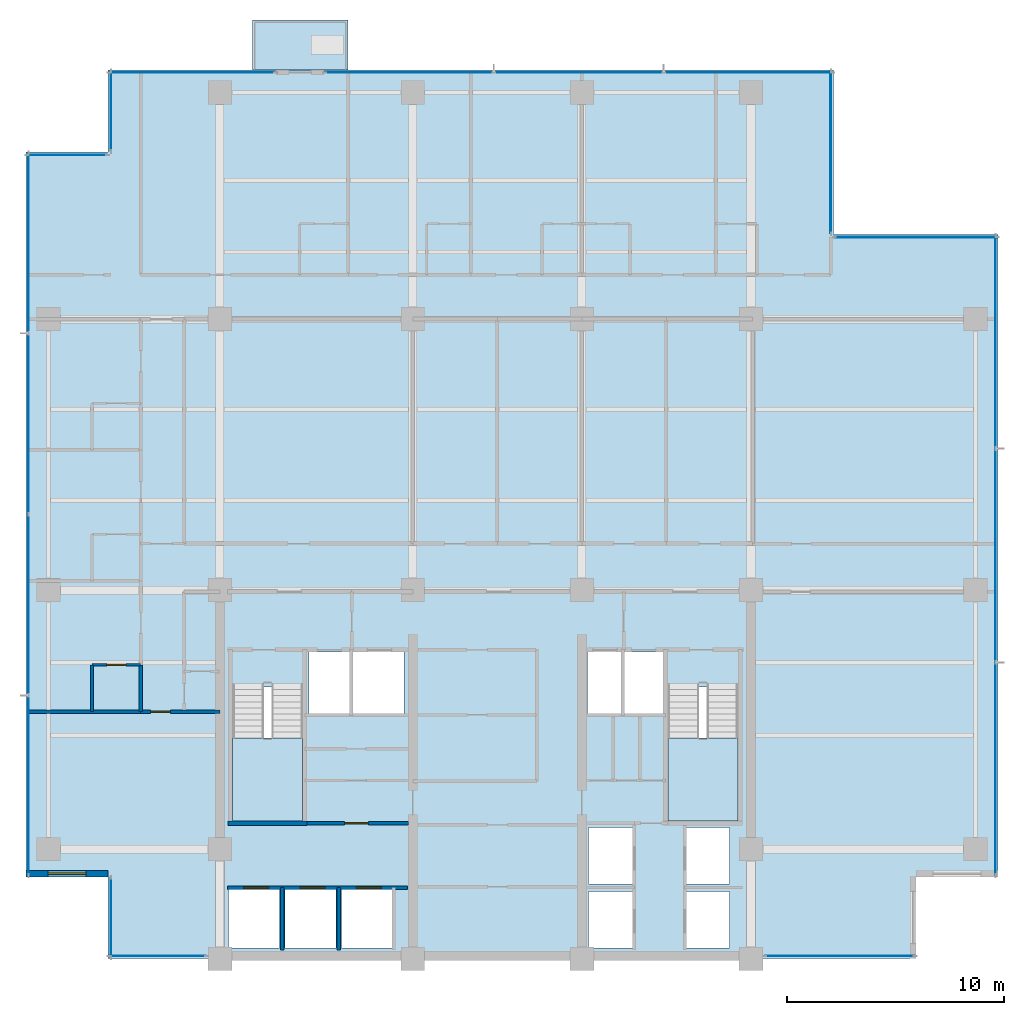
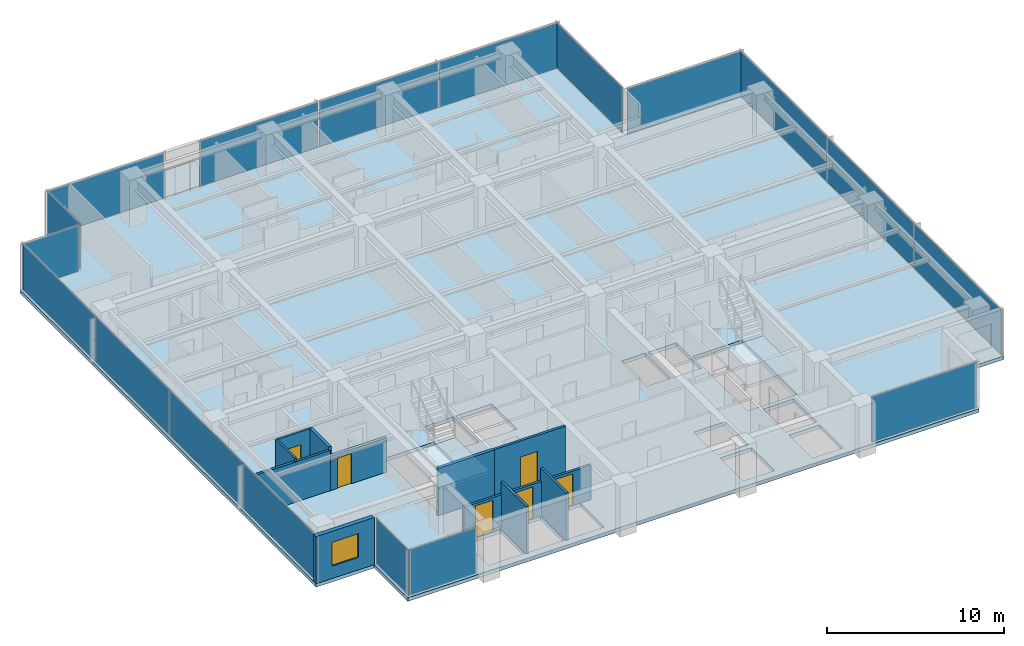
# One storey, part 6 of 14: 18 plates, 11 walls, 6 doors, 4 slabs, 1 window, 7 openings, 13 elements without a shape of their own.
"""IFC4 building model written with IfcOpenShell, lengths in metres."""

from ifc_helpers import new_model, si_unit, direction, frame, frame_2d, origin, origin_2d, place, context, subcontext, project, spatial, polyline, rectangle, outline, extrude, material, layer, layer_set, type_object, element, fill, aggregate, save


model = new_model("IFC4")

# Units and contexts
model_context = context("Model", 3, precision=1e-05, world=origin(), true_north=direction((0.0, 1.0)))
body_context = subcontext(model_context, "Body", "Model", "MODEL_VIEW")
ifc_project = project(units=[si_unit("LENGTHUNIT", "METRE"), si_unit("AREAUNIT", "SQUARE_METRE"), si_unit("VOLUMEUNIT", "CUBIC_METRE"), si_unit("PLANEANGLEUNIT", "RADIAN"), si_unit("MASSUNIT", "GRAM", prefix="KILO")], contexts=[model_context])

# Site, building, storey
site_placement = place(None, origin())
site = spatial("IfcSite", under=ifc_project, at=site_placement, CompositionType="ELEMENT")
building_placement = place(site_placement, origin())
building = spatial("IfcBuilding", under=site, at=building_placement, Name="Qalmaran Belvedere Hotel", CompositionType="ELEMENT")
storey_placement = place(building_placement, frame((0.0, 0.0, 156.10009765625)))
storey = spatial("IfcBuildingStorey", under=building, at=storey_placement, Name="L39", CompositionType="ELEMENT", Elevation=156.10009765625)

# Curtain wall, plate
ifc_material_1 = material(Name="Anodised Bronze Aluminium", Category="aluminium")
ifc_layer_1 = layer(ifc_material_1, 0.195068359375, Name="Anodised Bronze Aluminium")
ifc_layer_set_1 = layer_set([ifc_layer_1], Name="Anodised Bronze Aluminium")
curtain_wall_type = type_object("IfcCurtainWallType", Name="CW4-TOWER-HIGHMID", PredefinedType="NOTDEFINED", material=ifc_layer_set_1)
curtain_wall_1_placement = place(storey_placement, origin())
curtain_wall_1 = element("IfcCurtainWall", 1, at=curtain_wall_1_placement, inside=storey, type_object=curtain_wall_type, Name="L39 Curtain Wall CW4", PredefinedType="NOTDEFINED")
ifc_material_2 = material(Name="Solar-Control Double Glazing", Category="glass")
ifc_layer_2 = layer(ifc_material_2, 0.028076171875, Name="Solar-Control Double Glazing")
ifc_layer_set_2 = layer_set([ifc_layer_2], Name="Solar-Control Double Glazing")
plate_type = type_object("IfcPlateType", Name="CWP-VISION-28", PredefinedType="CURTAIN_PANEL", material=ifc_layer_set_2)
plate_1_placement = place(storey_placement, frame((17.429931640625, 3.6201171875, 0.06494140625), z_axis=(0.0, 0.0, 1.0), x_axis=(1.0, 0.0, 0.0)))
plate_1 = element("IfcPlate", 2, at=plate_1_placement, type_object=plate_type, Name="CW4 panel 1.1", PredefinedType="CURTAIN_PANEL", context=body_context, shape_type="SweptSolid", body=[
    extrude(rectangle(XDim=4.419921875, YDim=0.028076171875, at=origin_2d()), origin(), (0.0, 0.0, 1.0), 3.1201171875),
])
aggregate(curtain_wall_1, [plate_1])

curtain_wall_2_placement = place(storey_placement, origin())
curtain_wall_2 = element("IfcCurtainWall", 3, at=curtain_wall_2_placement, inside=storey, type_object=curtain_wall_type, Name="L39 Curtain Wall CW4", PredefinedType="NOTDEFINED")
plate_2_placement = place(storey_placement, frame((48.89501953125, 3.6201171875, 0.06494140625), z_axis=(0.0, 0.0, 1.0), x_axis=(1.0, 0.0, 0.0)))
plate_2 = element("IfcPlate", 4, at=plate_2_placement, type_object=plate_type, Name="CW4 panel 1.1", PredefinedType="CURTAIN_PANEL", context=body_context, shape_type="SweptSolid", body=[
    extrude(rectangle(XDim=6.8701171875, YDim=0.028076171875, at=origin_2d()), origin(), (0.0, 0.0, 1.0), 3.1201171875),
])
aggregate(curtain_wall_2, [plate_2])

# Curtain wall, plates
curtain_wall_3_placement = place(storey_placement, origin())
curtain_wall_3 = element("IfcCurtainWall", 5, at=curtain_wall_3_placement, inside=storey, type_object=curtain_wall_type, Name="L39 Curtain Wall CW4", PredefinedType="NOTDEFINED")
plate_3_placement = place(storey_placement, frame((56.080078125, 12.250732421875, 0.06494140625), z_axis=(0.0, 0.0, 1.0), x_axis=(0.0, 1.0, 0.0)))
plate_3 = element("IfcPlate", 6, at=plate_3_placement, type_object=plate_type, Name="CW4 panel 1.1", PredefinedType="CURTAIN_PANEL", context=body_context, shape_type="SweptSolid", body=[
    extrude(rectangle(XDim=9.76171875, YDim=0.028076171875, at=origin_2d()), origin(), (0.0, 0.0, 1.0), 3.1201171875),
])
plate_4_placement = place(storey_placement, frame((56.080078125, 22.10009765625, 0.06494140625), z_axis=(0.0, 0.0, 1.0), x_axis=(0.0, 1.0, 0.0)))
plate_4 = element("IfcPlate", 7, at=plate_4_placement, type_object=plate_type, Name="CW4 panel 2.1", PredefinedType="CURTAIN_PANEL", context=body_context, shape_type="SweptSolid", body=[
    extrude(rectangle(XDim=9.796630859375, YDim=0.028076171875, at=origin_2d()), origin(), (0.0, 0.0, 1.0), 3.1201171875),
])
plate_5_placement = place(storey_placement, frame((56.080078125, 31.94921875, 0.06494140625), z_axis=(0.0, 0.0, 1.0), x_axis=(0.0, 1.0, 0.0)))
plate_5 = element("IfcPlate", 8, at=plate_5_placement, type_object=plate_type, Name="CW4 panel 3.1", PredefinedType="CURTAIN_PANEL", context=body_context, shape_type="SweptSolid", body=[
    extrude(rectangle(XDim=9.76171875, YDim=0.028076171875, at=origin_2d()), origin(), (0.0, 0.0, 1.0), 3.1201171875),
])
aggregate(curtain_wall_3, [plate_3, plate_4, plate_5])

# Curtain wall, plate
curtain_wall_4_placement = place(storey_placement, origin())
curtain_wall_4 = element("IfcCurtainWall", 9, at=curtain_wall_4_placement, inside=storey, type_object=curtain_wall_type, Name="L39 Curtain Wall CW4", PredefinedType="NOTDEFINED")
plate_6_placement = place(storey_placement, frame((52.39990234375, 36.780029296875, 0.06494140625), z_axis=(0.0, 0.0, 1.0), x_axis=(-1.0, 0.0, 0.0)))
plate_6 = element("IfcPlate", 10, at=plate_6_placement, type_object=plate_type, Name="CW4 panel 1.1", PredefinedType="CURTAIN_PANEL", context=body_context, shape_type="SweptSolid", body=[
    extrude(rectangle(XDim=7.4599609375, YDim=0.028076171875, at=origin_2d()), origin(), (0.0, 0.0, 1.0), 3.1201171875),
])
aggregate(curtain_wall_4, [plate_6])

curtain_wall_5_placement = place(storey_placement, origin())
curtain_wall_5 = element("IfcCurtainWall", 11, at=curtain_wall_5_placement, inside=storey, type_object=curtain_wall_type, Name="L39 Curtain Wall CW4", PredefinedType="NOTDEFINED")
plate_7_placement = place(storey_placement, frame((48.47998046875, 40.699951171875, 0.06494140625), z_axis=(0.0, 0.0, 1.0), x_axis=(0.0, 1.0, 0.0)))
plate_7 = element("IfcPlate", 12, at=plate_7_placement, type_object=plate_type, Name="CW4 panel 1.1", PredefinedType="CURTAIN_PANEL", context=body_context, shape_type="SweptSolid", body=[
    extrude(rectangle(XDim=7.4599609375, YDim=0.028076171875, at=origin_2d()), origin(), (0.0, 0.0, 1.0), 3.1201171875),
])
aggregate(curtain_wall_5, [plate_7])

curtain_wall_6_placement = place(storey_placement, origin())
curtain_wall_6 = element("IfcCurtainWall", 13, at=curtain_wall_6_placement, inside=storey, type_object=curtain_wall_type, Name="L39 Curtain Wall CW4", PredefinedType="NOTDEFINED")
plate_8_placement = place(storey_placement, frame((19.02490234375, 44.3798828125, 0.06494140625), z_axis=(0.0, 0.0, 1.0), x_axis=(-1.0, 0.0, 0.0)))
plate_8 = element("IfcPlate", 14, at=plate_8_placement, type_object=plate_type, Name="CW4 panel 1.1", PredefinedType="CURTAIN_PANEL", context=body_context, shape_type="SweptSolid", body=[
    extrude(rectangle(XDim=7.610107421875, YDim=0.028076171875, at=origin_2d()), origin(), (0.0, 0.0, 1.0), 3.1201171875),
])
aggregate(curtain_wall_6, [plate_8])

# Curtain wall, plates
curtain_wall_7_placement = place(storey_placement, origin())
curtain_wall_7 = element("IfcCurtainWall", 15, at=curtain_wall_7_placement, inside=storey, type_object=curtain_wall_type, Name="L39 Curtain Wall CW4", PredefinedType="NOTDEFINED")
plate_9_placement = place(storey_placement, frame((44.665771484375, 44.3798828125, 0.06494140625), z_axis=(0.0, 0.0, 1.0), x_axis=(-1.0, 0.0, 0.0)))
plate_9 = element("IfcPlate", 16, at=plate_9_placement, type_object=plate_type, Name="CW4 panel 1.1", PredefinedType="CURTAIN_PANEL", context=body_context, shape_type="SweptSolid", body=[
    extrude(rectangle(XDim=7.728271484375, YDim=0.028076171875, at=origin_2d()), origin(), (0.0, 0.0, 1.0), 3.1201171875),
])
plate_10_placement = place(storey_placement, frame((36.85009765625, 44.3798828125, 0.06494140625), z_axis=(0.0, 0.0, 1.0), x_axis=(-1.0, 0.0, 0.0)))
plate_10 = element("IfcPlate", 17, at=plate_10_placement, type_object=plate_type, Name="CW4 panel 2.1", PredefinedType="CURTAIN_PANEL", context=body_context, shape_type="SweptSolid", body=[
    extrude(rectangle(XDim=7.763427734375, YDim=0.028076171875, at=origin_2d()), origin(), (0.0, 0.0, 1.0), 3.1201171875),
])
plate_11_placement = place(storey_placement, frame((29.0341796875, 44.3798828125, 0.06494140625), z_axis=(0.0, 0.0, 1.0), x_axis=(-1.0, 0.0, 0.0)))
plate_11 = element("IfcPlate", 18, at=plate_11_placement, type_object=plate_type, Name="CW4 panel 3.1", PredefinedType="CURTAIN_PANEL", context=body_context, shape_type="SweptSolid", body=[
    extrude(rectangle(XDim=7.728271484375, YDim=0.028076171875, at=origin_2d()), origin(), (0.0, 0.0, 1.0), 3.1201171875),
])
aggregate(curtain_wall_7, [plate_9, plate_10, plate_11])

# Curtain wall, plate
curtain_wall_8_placement = place(storey_placement, origin())
curtain_wall_8 = element("IfcCurtainWall", 19, at=curtain_wall_8_placement, inside=storey, type_object=curtain_wall_type, Name="L39 Curtain Wall CW4", PredefinedType="NOTDEFINED")
plate_12_placement = place(storey_placement, frame((15.27001953125, 42.60009765625, 0.06494140625), z_axis=(0.0, 0.0, 1.0), x_axis=(0.0, -1.0, 0.0)))
plate_12 = element("IfcPlate", 20, at=plate_12_placement, type_object=plate_type, Name="CW4 panel 1.1", PredefinedType="CURTAIN_PANEL", context=body_context, shape_type="SweptSolid", body=[
    extrude(rectangle(XDim=3.659912109375, YDim=0.028076171875, at=origin_2d()), origin(), (0.0, 0.0, 1.0), 3.1201171875),
])
aggregate(curtain_wall_8, [plate_12])

curtain_wall_9_placement = place(storey_placement, origin())
curtain_wall_9 = element("IfcCurtainWall", 21, at=curtain_wall_9_placement, inside=storey, type_object=curtain_wall_type, Name="L39 Curtain Wall CW4", PredefinedType="NOTDEFINED")
plate_13_placement = place(storey_placement, frame((13.25, 40.580078125, 0.06494140625), z_axis=(0.0, 0.0, 1.0), x_axis=(-1.0, 0.0, 0.0)))
plate_13 = element("IfcPlate", 22, at=plate_13_placement, type_object=plate_type, Name="CW4 panel 1.1", PredefinedType="CURTAIN_PANEL", context=body_context, shape_type="SweptSolid", body=[
    extrude(rectangle(XDim=3.659912109375, YDim=0.028076171875, at=origin_2d()), origin(), (0.0, 0.0, 1.0), 3.1201171875),
])
aggregate(curtain_wall_9, [plate_13])

# Curtain wall, plates
curtain_wall_10_placement = place(storey_placement, origin())
curtain_wall_10 = element("IfcCurtainWall", 23, at=curtain_wall_10_placement, inside=storey, type_object=curtain_wall_type, Name="L39 Curtain Wall CW4", PredefinedType="NOTDEFINED")
plate_14_placement = place(storey_placement, frame((11.469970703125, 36.507568359375, 0.06494140625), z_axis=(0.0, 0.0, 1.0), x_axis=(0.0, -1.0, 0.0)))
plate_14 = element("IfcPlate", 24, at=plate_14_placement, type_object=plate_type, Name="CW4 panel 1.1", PredefinedType="CURTAIN_PANEL", context=body_context, shape_type="SweptSolid", body=[
    extrude(rectangle(XDim=8.2451171875, YDim=0.028076171875, at=origin_2d()), origin(), (0.0, 0.0, 1.0), 3.1201171875),
])
plate_15_placement = place(storey_placement, frame((11.469970703125, 28.175048828125, 0.06494140625), z_axis=(0.0, 0.0, 1.0), x_axis=(0.0, -1.0, 0.0)))
plate_15 = element("IfcPlate", 25, at=plate_15_placement, type_object=plate_type, Name="CW4 panel 2.1", PredefinedType="CURTAIN_PANEL", context=body_context, shape_type="SweptSolid", body=[
    extrude(rectangle(XDim=8.280029296875, YDim=0.028076171875, at=origin_2d()), origin(), (0.0, 0.0, 1.0), 3.1201171875),
])
plate_16_placement = place(storey_placement, frame((11.469970703125, 19.824951171875, 0.06494140625), z_axis=(0.0, 0.0, 1.0), x_axis=(0.0, -1.0, 0.0)))
plate_16 = element("IfcPlate", 26, at=plate_16_placement, type_object=plate_type, Name="CW4 panel 3.1", PredefinedType="CURTAIN_PANEL", context=body_context, shape_type="SweptSolid", body=[
    extrude(rectangle(XDim=8.280029296875, YDim=0.028076171875, at=origin_2d()), origin(), (0.0, 0.0, 1.0), 3.1201171875),
])
plate_17_placement = place(storey_placement, frame((11.469970703125, 11.492431640625, 0.06494140625), z_axis=(0.0, 0.0, 1.0), x_axis=(0.0, -1.0, 0.0)))
plate_17 = element("IfcPlate", 27, at=plate_17_placement, type_object=plate_type, Name="CW4 panel 4.1", PredefinedType="CURTAIN_PANEL", context=body_context, shape_type="SweptSolid", body=[
    extrude(rectangle(XDim=8.2451171875, YDim=0.028076171875, at=origin_2d()), origin(), (0.0, 0.0, 1.0), 3.1201171875),
])
aggregate(curtain_wall_10, [plate_14, plate_15, plate_16, plate_17])

# Curtain wall, plate
curtain_wall_11_placement = place(storey_placement, origin())
curtain_wall_11 = element("IfcCurtainWall", 28, at=curtain_wall_11_placement, inside=storey, type_object=curtain_wall_type, Name="L39 Curtain Wall CW4", PredefinedType="NOTDEFINED")
plate_18_placement = place(storey_placement, frame((15.27001953125, 5.39990234375, 0.06494140625), z_axis=(0.0, 0.0, 1.0), x_axis=(0.0, -1.0, 0.0)))
plate_18 = element("IfcPlate", 29, at=plate_18_placement, type_object=plate_type, Name="CW4 panel 1.1", PredefinedType="CURTAIN_PANEL", context=body_context, shape_type="SweptSolid", body=[
    extrude(rectangle(XDim=3.659912109375, YDim=0.028076171875, at=origin_2d()), origin(), (0.0, 0.0, 1.0), 3.1201171875),
])
aggregate(curtain_wall_11, [plate_18])

# Slab
ifc_material_3 = material(Name="Concrete C40/50", Category="concrete")
ifc_layer_3 = layer(ifc_material_3, 0.219970703125, Name="Concrete C40/50")
ifc_layer_set_3 = layer_set([ifc_layer_3], Name="Concrete C40/50")
slab_type_1 = type_object("IfcSlabType", Name="SLB-BAL-220", PredefinedType="USERDEFINED", material=ifc_layer_set_3)
slab_1_placement = place(storey_placement, frame((0.0, 0.0, -0.22021484375)))
element("IfcSlab", 30, at=slab_1_placement, inside=storey, type_object=slab_type_1, Name="L39 Planted Tree Balcony Slab 1", ObjectType="BALCONY", PredefinedType="USERDEFINED", context=body_context, shape_type="SweptSolid", body=[
    extrude(outline(polyline([(21.800048828125, 44.5), (26.199951171875, 44.5), (26.199951171875, 46.800048828125), (21.800048828125, 46.800048828125), (21.800048828125, 44.5)])), origin(), (0.0, 0.0, 1.0), 0.22021484375),
])

# Stair, slab
stair_type_1 = type_object("IfcStairType", Name="STR-ST-1-1450-R1750", PredefinedType="HALF_TURN_STAIR", material=ifc_material_3)
stair_1_placement = place(storey_placement, origin())
stair_1 = element("IfcStair", 31, at=stair_1_placement, inside=storey, type_object=stair_type_1, Name="L39 West Core Exit Stair ST-1", PredefinedType="HALF_TURN_STAIR")
ifc_layer_4 = layer(ifc_material_3, 0.199951171875, Name="Concrete C40/50")
ifc_layer_set_4 = layer_set([ifc_layer_4], Name="Concrete C40/50")
slab_type_2 = type_object("IfcSlabType", Name="SLB-STAIR-LANDING-200", PredefinedType="LANDING", material=ifc_layer_set_4)
slab_2_placement = place(storey_placement, frame((0.0, 0.0, 1.5498046875)))
slab_2 = element("IfcSlab", 32, at=slab_2_placement, type_object=slab_type_2, Name="ST-1 landing 1", PredefinedType="LANDING", context=body_context, shape_type="SweptSolid", body=[
    extrude(outline(polyline([(20.8798828125, 13.669921875), (20.8798828125, 9.85009765625), (24.1201171875, 9.85009765625), (24.1201171875, 13.669921875), (20.8798828125, 13.669921875)])), origin(), (0.0, 0.0, 1.0), 0.2001953125),
])
aggregate(stair_1, [slab_2])

stair_type_2 = type_object("IfcStairType", Name="STR-ST-2-1450-R1750", PredefinedType="HALF_TURN_STAIR", material=ifc_material_3)
stair_2_placement = place(storey_placement, origin())
stair_2 = element("IfcStair", 33, at=stair_2_placement, inside=storey, type_object=stair_type_2, Name="L39 East Core Exit Stair ST-2", PredefinedType="HALF_TURN_STAIR")
slab_3_placement = place(storey_placement, frame((0.0, 0.0, 1.5498046875)))
slab_3 = element("IfcSlab", 34, at=slab_3_placement, type_object=slab_type_2, Name="ST-2 landing 1", PredefinedType="LANDING", context=body_context, shape_type="SweptSolid", body=[
    extrude(outline(polyline([(40.9599609375, 13.669921875), (40.9599609375, 9.85009765625), (44.199951171875, 9.85009765625), (44.199951171875, 13.669921875), (40.9599609375, 13.669921875)])), origin(), (0.0, 0.0, 1.0), 0.2001953125),
])
aggregate(stair_2, [slab_3])

# Slab
ifc_layer_5 = layer(ifc_material_3, 0.25, Name="Concrete C40/50")
ifc_layer_set_5 = layer_set([ifc_layer_5], Name="Concrete C40/50")
slab_type_3 = type_object("IfcSlabType", Name="SLB-Z3-250", PredefinedType="FLOOR", material=ifc_layer_set_5)
slab_4_placement = place(storey_placement, frame((0.0, 0.0, -0.25)))
element("IfcSlab", 35, at=slab_4_placement, inside=storey, type_object=slab_type_3, Name="L39 Structural Floor Slab", PredefinedType="FLOOR", context=body_context, shape_type="SweptSolid", body=[
    extrude(outline(polyline([(15.14990234375, 3.5), (52.39990234375, 3.5), (52.39990234375, 7.300048828125), (56.199951171875, 7.300048828125), (56.199951171875, 36.89990234375), (48.60009765625, 36.89990234375), (48.60009765625, 44.5), (15.14990234375, 44.5), (15.14990234375, 40.699951171875), (11.35009765625, 40.699951171875), (11.35009765625, 7.300048828125), (15.14990234375, 7.300048828125), (15.14990234375, 3.5)]), holes=[polyline([(20.8798828125, 9.85009765625), (24.1201171875, 9.85009765625), (24.1201171875, 16.0400390625), (20.8798828125, 16.0400390625), (20.8798828125, 9.85009765625)]), polyline([(40.9599609375, 9.85009765625), (44.199951171875, 9.85009765625), (44.199951171875, 16.0400390625), (40.9599609375, 16.0400390625), (40.9599609375, 9.85009765625)]), polyline([(37.300048828125, 4.0), (39.35009765625, 4.0), (39.35009765625, 6.60009765625), (37.300048828125, 6.60009765625), (37.300048828125, 4.0)]), polyline([(37.300048828125, 6.949951171875), (39.35009765625, 6.949951171875), (39.35009765625, 9.550048828125), (37.300048828125, 9.550048828125), (37.300048828125, 6.949951171875)]), polyline([(41.800048828125, 4.0), (43.800048828125, 4.0), (43.800048828125, 6.60009765625), (41.800048828125, 6.60009765625), (41.800048828125, 4.0)]), polyline([(41.800048828125, 6.949951171875), (43.800048828125, 6.949951171875), (43.800048828125, 9.550048828125), (41.800048828125, 9.550048828125), (41.800048828125, 6.949951171875)]), polyline([(20.699951171875, 4.0), (23.050048828125, 4.0), (23.050048828125, 6.699951171875), (20.699951171875, 6.699951171875), (20.699951171875, 4.0)]), polyline([(23.300048828125, 4.0), (25.64990234375, 4.0), (25.64990234375, 6.699951171875), (23.300048828125, 6.699951171875), (23.300048828125, 4.0)]), polyline([(25.89990234375, 4.0), (28.25, 4.0), (28.25, 6.699951171875), (25.89990234375, 6.699951171875), (25.89990234375, 4.0)]), polyline([(24.39990234375, 14.800048828125), (26.300048828125, 14.800048828125), (26.300048828125, 17.64990234375), (24.39990234375, 17.64990234375), (24.39990234375, 14.800048828125)]), polyline([(38.949951171875, 14.800048828125), (40.820068359375, 14.800048828125), (40.820068359375, 17.64990234375), (38.949951171875, 17.64990234375), (38.949951171875, 14.800048828125)]), polyline([(26.449951171875, 14.800048828125), (28.800048828125, 14.800048828125), (28.800048828125, 17.64990234375), (26.449951171875, 17.64990234375), (26.449951171875, 14.800048828125)]), polyline([(37.25, 14.800048828125), (38.800048828125, 14.800048828125), (38.800048828125, 17.64990234375), (37.25, 17.64990234375), (37.25, 14.800048828125)])]), origin(), (0.0, 0.0, 1.0), 0.25),
])

# Wall, opening, window
ifc_material_4 = material(Name="Anodised Bronze Cladding")
ifc_layer_6 = layer(ifc_material_4, 0.280029296875, Name="Anodised Bronze Cladding")
ifc_layer_set_6 = layer_set([ifc_layer_6], Name="Anodised Bronze Cladding")
wall_type_1 = type_object("IfcWallType", Name="WL-EXT-BRNZ-280", PredefinedType="SOLIDWALL", material=ifc_layer_set_6)
wall_1_placement = place(storey_placement, frame((11.35009765625, 7.419921875, 0.0), z_axis=(0.0, 0.0, 1.0), x_axis=(1.0, 0.0, 0.0)))
wall_1 = element("IfcWall", 36, at=wall_1_placement, inside=storey, type_object=wall_type_1, Name="L39 Corner Notch Wall 10", PredefinedType="SOLIDWALL", context=body_context, shape_type="SweptSolid", body=[
    extrude(rectangle(XDim=3.7998046875, YDim=0.280029296875, at=frame_2d((1.89990234375, 0.0))), origin(), (0.0, 0.0, 1.0), 3.25),
])
opening_1_placement = place(wall_1_placement, frame((1.02490234375, 0.0, 0.85009765625)))
opening_1 = element("IfcOpeningElement", 37, at=opening_1_placement, cuts=wall_1, Name="Opening W-N17", PredefinedType="OPENING", context=body_context, shape_type="SweptSolid", body=[
    extrude(rectangle(XDim=1.75, YDim=1.64990234375, at=frame_2d((0.875, 0.824951171875))), frame((0.0, 0.14990234375, 0.0), z_axis=(0.0, -1.0, 0.0), x_axis=(1.0, 0.0, 0.0)), (0.0, 0.0, 1.0), 0.300048828125),
])
window_type = type_object("IfcWindowType", Name="WN-NTC-1750X1650", PartitioningType="SINGLE_PANEL", PredefinedType="WINDOW", material=ifc_material_2)
window_placement = place(opening_1_placement, origin())
window = element("IfcWindow", 38, at=window_placement, inside=storey, type_object=window_type, Name="L39 Corner Notch Window 10", OverallHeight=1.64990234375, OverallWidth=1.75, PartitioningType="SINGLE_PANEL", PredefinedType="WINDOW", context=body_context, shape_type="SweptSolid", body=[
    extrude(rectangle(XDim=1.75, YDim=1.64990234375, at=frame_2d((0.875, 0.824951171875))), frame((0.0, 0.030029296875, 0.0), z_axis=(0.0, -1.0, 0.0), x_axis=(1.0, 0.0, 0.0)), (0.0, 0.0, 1.0), 0.06005859375),
])
fill(opening_1, window)

# Wall, opening, door
ifc_material_5 = material(Name="Moisture-Resistant Gypsum")
ifc_layer_7 = layer(ifc_material_5, 0.1201171875, Name="Moisture-Resistant Gypsum")
ifc_layer_set_7 = layer_set([ifc_layer_7], Name="Moisture-Resistant Gypsum")
wall_type_2 = type_object("IfcWallType", Name="WL-INT-120-BATH", PredefinedType="PARTITIONING", material=ifc_layer_set_7)
wall_2_placement = place(storey_placement, frame((14.39990234375, 17.050048828125, 0.0), z_axis=(0.0, 0.0, 1.0), x_axis=(1.0, 0.0, 0.0)))
wall_2 = element("IfcWall", 39, at=wall_2_placement, inside=storey, type_object=wall_type_2, Name="L39 Partition WL-L39-WBN00", PredefinedType="PARTITIONING", context=body_context, shape_type="SweptSolid", body=[
    extrude(rectangle(XDim=2.25, YDim=0.1201171875, at=frame_2d((1.125, 0.0))), origin(), (0.0, 0.0, 1.0), 2.98779296875),
])
opening_2_placement = place(wall_2_placement, frame((1.56494140625, 0.0, 0.0), z_axis=(0.0, 0.0, 1.0), x_axis=(-1.0, 0.0, 0.0)))
opening_2 = element("IfcOpeningElement", 40, at=opening_2_placement, cuts=wall_2, Name="Opening D-BATH", PredefinedType="OPENING", context=body_context, shape_type="SweptSolid", body=[
    extrude(rectangle(XDim=0.8798828125, YDim=2.080078125, at=frame_2d((0.43994140625, 1.0400390625))), frame((0.0, 0.070068359375, 0.0), z_axis=(0.0, -1.0, 0.0), x_axis=(1.0, 0.0, 0.0)), (0.0, 0.0, 1.0), 0.14013671875),
])
ifc_material_6 = material(Name="Engineered Oak Veneer")
door_type_1 = type_object("IfcDoorType", Name="DR-INT-BATH-880X2080", OperationType="NOTDEFINED", PredefinedType="DOOR", material=ifc_material_6)
door_1_placement = place(opening_2_placement, origin())
door_1 = element("IfcDoor", 41, at=door_1_placement, inside=storey, type_object=door_type_1, Name="L39 W Ensuite Door 01", OperationType="SINGLE_SWING_RIGHT", OverallHeight=2.080078125, OverallWidth=0.8798828125, PredefinedType="DOOR", context=body_context, shape_type="SweptSolid", body=[
    extrude(rectangle(XDim=0.8798828125, YDim=2.080078125, at=frame_2d((0.43994140625, 1.0400390625))), frame((0.0, 0.02490234375, 0.0), z_axis=(0.0, -1.0, 0.0), x_axis=(1.0, 0.0, 0.0)), (0.0, 0.0, 1.0), 0.050048828125),
])
fill(opening_2, door_1)

# Walls
wall_3_placement = place(storey_placement, frame((14.39990234375, 14.89990234375, 0.0), z_axis=(0.0, 0.0, 1.0), x_axis=(0.0, 1.0, 0.0)))
element("IfcWall", 42, at=wall_3_placement, inside=storey, type_object=wall_type_2, Name="L39 Partition WL-L39-WBS00", PredefinedType="PARTITIONING", context=body_context, shape_type="SweptSolid", body=[
    extrude(rectangle(XDim=2.150146484375, YDim=0.1201171875, at=frame_2d((1.0751953125, 0.0))), origin(), (0.0, 0.0, 1.0), 2.98779296875),
])
ifc_material_7 = material(Name="Gypsum Stud Partition")
ifc_layer_8 = layer(ifc_material_7, 0.14990234375, Name="Gypsum Stud Partition")
ifc_layer_set_8 = layer_set([ifc_layer_8], Name="Gypsum Stud Partition")
wall_type_3 = type_object("IfcWallType", Name="WL-INT-150-EI120", PredefinedType="PARTITIONING", material=ifc_layer_set_8)
for number, where, z_axis, x_axis, name in (
    (43, (23.179931640625, 3.89990234375, 0.0), (0.0, 0.0, 1.0), (0.0, 1.0, 0.0), "L39 Partition WL-POM1-L39"),
    (44, (25.780029296875, 3.89990234375, 0.0), (0.0, 0.0, 1.0), (0.0, 1.0, 0.0), "L39 Partition WL-POM2-L39"),
):
    element("IfcWall", number, at=place(storey_placement, frame(where, z_axis=z_axis, x_axis=x_axis)), inside=storey, type_object=wall_type_3, Name=name, PredefinedType="PARTITIONING", context=body_context, shape_type="SweptSolid", body=[
        extrude(rectangle(XDim=2.880126953125, YDim=0.14990234375, at=frame_2d((1.43994140625, 0.0))), origin(), (0.0, 0.0, 1.0), 3.25),
    ])

# Wall, openings, doors
ifc_layer_9 = layer(ifc_material_7, 0.159912109375, Name="Gypsum Stud Partition")
ifc_layer_set_9 = layer_set([ifc_layer_9], Name="Gypsum Stud Partition")
wall_type_4 = type_object("IfcWallType", Name="WL-INT-160-EI120", PredefinedType="PARTITIONING", material=ifc_layer_set_9)
wall_4_placement = place(storey_placement, frame((20.64990234375, 6.780029296875, 0.0), z_axis=(0.0, 0.0, 1.0), x_axis=(1.0, 0.0, 0.0)))
wall_4 = element("IfcWall", 45, at=wall_4_placement, inside=storey, type_object=wall_type_4, Name="L39 Partition WL-POS-L39", PredefinedType="PARTITIONING", context=body_context, shape_type="SweptSolid", body=[
    extrude(rectangle(XDim=8.300048828125, YDim=0.159912109375, at=frame_2d((4.14990234375, 0.0))), origin(), (0.0, 0.0, 1.0), 2.3798828125),
])
opening_3_placement = place(wall_4_placement, frame((0.75, 0.0, 0.0)))
opening_3 = element("IfcOpeningElement", 46, at=opening_3_placement, cuts=wall_4, Name="Opening LD-PO", PredefinedType="OPENING", context=body_context, shape_type="SweptSolid", body=[
    extrude(rectangle(XDim=1.14990234375, YDim=2.199951171875, at=frame_2d((0.574951171875, 1.10009765625))), frame((0.0, 0.08984375, 0.0), z_axis=(0.0, -1.0, 0.0), x_axis=(1.0, 0.0, 0.0)), (0.0, 0.0, 1.0), 0.179931640625),
])
opening_4_placement = place(wall_4_placement, frame((3.35009765625, 0.0, 0.0)))
opening_4 = element("IfcOpeningElement", 47, at=opening_4_placement, cuts=wall_4, Name="Opening LD-PO", PredefinedType="OPENING", context=body_context, shape_type="SweptSolid", body=[
    extrude(rectangle(XDim=1.14990234375, YDim=2.199951171875, at=frame_2d((0.574951171875, 1.10009765625))), frame((0.0, 0.08984375, 0.0), z_axis=(0.0, -1.0, 0.0), x_axis=(1.0, 0.0, 0.0)), (0.0, 0.0, 1.0), 0.179931640625),
])
opening_5_placement = place(wall_4_placement, frame((5.949951171875, 0.0, 0.0)))
opening_5 = element("IfcOpeningElement", 48, at=opening_5_placement, cuts=wall_4, Name="Opening LD-PO", PredefinedType="OPENING", context=body_context, shape_type="SweptSolid", body=[
    extrude(rectangle(XDim=1.14990234375, YDim=2.199951171875, at=frame_2d((0.574951171875, 1.10009765625))), frame((0.0, 0.08984375, 0.0), z_axis=(0.0, -1.0, 0.0), x_axis=(1.0, 0.0, 0.0)), (0.0, 0.0, 1.0), 0.179931640625),
])
door_type_2 = type_object("IfcDoorType", Name="DR-LIFT-PO-1150X2200", OperationType="DOUBLE_DOOR_SLIDING", PredefinedType="DOOR", material=ifc_material_1)
door_2_placement = place(opening_3_placement, origin())
door_2 = element("IfcDoor", 49, at=door_2_placement, inside=storey, type_object=door_type_2, Name="L39 PO1 Shuttle Landing Door", OperationType="DOUBLE_DOOR_SLIDING", OverallHeight=2.199951171875, OverallWidth=1.14990234375, PredefinedType="DOOR", context=body_context, shape_type="SweptSolid", body=[
    extrude(rectangle(XDim=1.14990234375, YDim=2.199951171875, at=frame_2d((0.574951171875, 1.10009765625))), frame((0.0, 0.02490234375, 0.0), z_axis=(0.0, -1.0, 0.0), x_axis=(1.0, 0.0, 0.0)), (0.0, 0.0, 1.0), 0.050048828125),
])
fill(opening_3, door_2)
door_3_placement = place(opening_4_placement, origin())
door_3 = element("IfcDoor", 50, at=door_3_placement, inside=storey, type_object=door_type_2, Name="L39 PO2 Shuttle Landing Door", OperationType="DOUBLE_DOOR_SLIDING", OverallHeight=2.199951171875, OverallWidth=1.14990234375, PredefinedType="DOOR", context=body_context, shape_type="SweptSolid", body=[
    extrude(rectangle(XDim=1.14990234375, YDim=2.199951171875, at=frame_2d((0.574951171875, 1.10009765625))), frame((0.0, 0.02490234375, 0.0), z_axis=(0.0, -1.0, 0.0), x_axis=(1.0, 0.0, 0.0)), (0.0, 0.0, 1.0), 0.050048828125),
])
fill(opening_4, door_3)
door_4_placement = place(opening_5_placement, origin())
door_4 = element("IfcDoor", 51, at=door_4_placement, inside=storey, type_object=door_type_2, Name="L39 PO3 Shuttle Landing Door", OperationType="DOUBLE_DOOR_SLIDING", OverallHeight=2.199951171875, OverallWidth=1.14990234375, PredefinedType="DOOR", context=body_context, shape_type="SweptSolid", body=[
    extrude(rectangle(XDim=1.14990234375, YDim=2.199951171875, at=frame_2d((0.574951171875, 1.10009765625))), frame((0.0, 0.02490234375, 0.0), z_axis=(0.0, -1.0, 0.0), x_axis=(1.0, 0.0, 0.0)), (0.0, 0.0, 1.0), 0.050048828125),
])
fill(opening_5, door_4)

# Wall, opening, door
wall_5_placement = place(storey_placement, frame((24.199951171875, 9.739990234375, 0.0), z_axis=(0.0, 0.0, 1.0), x_axis=(1.0, 0.0, 0.0)))
wall_5 = element("IfcWall", 52, at=wall_5_placement, inside=storey, type_object=wall_type_4, Name="L39 Partition WL-PON-L39", PredefinedType="PARTITIONING", context=body_context, shape_type="SweptSolid", body=[
    extrude(rectangle(XDim=4.800048828125, YDim=0.159912109375, at=frame_2d((2.39990234375, 0.0))), origin(), (0.0, 0.0, 1.0), 3.25),
])
opening_6_placement = place(wall_5_placement, frame((1.85009765625, 0.0, 0.0)))
opening_6 = element("IfcOpeningElement", 53, at=opening_6_placement, cuts=wall_5, Name="Opening FD90", PredefinedType="OPENING", context=body_context, shape_type="SweptSolid", body=[
    extrude(rectangle(XDim=1.10009765625, YDim=2.14990234375, at=frame_2d((0.550048828125, 1.074951171875))), frame((0.0, 0.08984375, 0.0), z_axis=(0.0, -1.0, 0.0), x_axis=(1.0, 0.0, 0.0)), (0.0, 0.0, 1.0), 0.179931640625),
])
ifc_material_8 = material(Name="Steel S355JR", Category="steel")
door_type_3 = type_object("IfcDoorType", Name="DR-FD90-1100X2150", OperationType="NOTDEFINED", PredefinedType="DOOR", material=ifc_material_8)
door_5_placement = place(opening_6_placement, origin())
door_5 = element("IfcDoor", 54, at=door_5_placement, inside=storey, type_object=door_type_3, Name="L39 Shuttle Lobby Passage Door", OperationType="SINGLE_SWING_LEFT", OverallHeight=2.14990234375, OverallWidth=1.10009765625, PredefinedType="DOOR", context=body_context, shape_type="SweptSolid", body=[
    extrude(rectangle(XDim=1.10009765625, YDim=2.14990234375, at=frame_2d((0.550048828125, 1.074951171875))), frame((0.0, 0.02490234375, 0.0), z_axis=(0.0, -1.0, 0.0), x_axis=(1.0, 0.0, 0.0)), (0.0, 0.0, 1.0), 0.050048828125),
])
fill(opening_6, door_5)

ifc_layer_10 = layer(ifc_material_7, 0.159912109375, Name="Gypsum Stud Partition")
ifc_layer_set_10 = layer_set([ifc_layer_10], Name="Gypsum Stud Partition")
wall_type_5 = type_object("IfcWallType", Name="WL-INT-160-EI60", PredefinedType="PARTITIONING", material=ifc_layer_set_10)
wall_6_placement = place(storey_placement, frame((16.64990234375, 14.89990234375, 0.0), z_axis=(0.0, 0.0, 1.0), x_axis=(1.0, 0.0, 0.0)))
wall_6 = element("IfcWall", 55, at=wall_6_placement, inside=storey, type_object=wall_type_5, Name="L39 Partition WL-L39-SWRL", PredefinedType="PARTITIONING", context=body_context, shape_type="SweptSolid", body=[
    extrude(rectangle(XDim=3.650146484375, YDim=0.159912109375, at=frame_2d((1.8251953125, 0.0))), origin(), (0.0, 0.0, 1.0), 2.3798828125),
])
opening_7_placement = place(wall_6_placement, frame((1.369873046875, 0.0, 0.0), z_axis=(0.0, 0.0, 1.0), x_axis=(-1.0, 0.0, 0.0)))
opening_7 = element("IfcOpeningElement", 56, at=opening_7_placement, cuts=wall_6, Name="Opening FD60S1", PredefinedType="OPENING", context=body_context, shape_type="SweptSolid", body=[
    extrude(rectangle(XDim=0.919921875, YDim=2.080078125, at=frame_2d((0.4599609375, 1.0400390625))), frame((0.0, 0.08984375, 0.0), z_axis=(0.0, -1.0, 0.0), x_axis=(1.0, 0.0, 0.0)), (0.0, 0.0, 1.0), 0.179931640625),
])
door_type_4 = type_object("IfcDoorType", Name="DR-FD60S-920X2080", OperationType="NOTDEFINED", PredefinedType="DOOR", material=ifc_material_6)
door_6_placement = place(opening_7_placement, origin())
door_6 = element("IfcDoor", 57, at=door_6_placement, inside=storey, type_object=door_type_4, Name="L39 SW Study Door", OperationType="SINGLE_SWING_LEFT", OverallHeight=2.080078125, OverallWidth=0.919921875, PredefinedType="DOOR", context=body_context, shape_type="SweptSolid", body=[
    extrude(rectangle(XDim=0.919921875, YDim=2.080078125, at=frame_2d((0.4599609375, 1.0400390625))), frame((0.0, 0.02490234375, 0.0), z_axis=(0.0, -1.0, 0.0), x_axis=(1.0, 0.0, 0.0)), (0.0, 0.0, 1.0), 0.050048828125),
])
fill(opening_7, door_6)

# Walls
wall_7_placement = place(storey_placement, frame((11.469970703125, 14.89990234375, 0.0), z_axis=(0.0, 0.0, 1.0), x_axis=(1.0, 0.0, 0.0)))
element("IfcWall", 58, at=wall_7_placement, inside=storey, type_object=wall_type_5, Name="L39 Partition WL-L39-WBOT", PredefinedType="PARTITIONING", context=body_context, shape_type="SweptSolid", body=[
    extrude(rectangle(XDim=5.179931640625, YDim=0.159912109375, at=frame_2d((2.58984375, 0.0))), origin(), (0.0, 0.0, 1.0), 2.77197265625),
])
ifc_layer_11 = layer(ifc_material_7, 0.179931640625, Name="Gypsum Stud Partition")
ifc_layer_set_11 = layer_set([ifc_layer_11], Name="Gypsum Stud Partition")
wall_type_6 = type_object("IfcWallType", Name="WL-INT-180-EI60", PredefinedType="PARTITIONING", material=ifc_layer_set_11)
wall_8_placement = place(storey_placement, frame((16.64990234375, 14.89990234375, 0.0), z_axis=(0.0, 0.0, 1.0), x_axis=(0.0, 1.0, 0.0)))
element("IfcWall", 59, at=wall_8_placement, inside=storey, type_object=wall_type_6, Name="L39 Partition WL-L39-WBC00", PredefinedType="PARTITIONING", context=body_context, shape_type="SweptSolid", body=[
    extrude(rectangle(XDim=2.150146484375, YDim=0.179931640625, at=frame_2d((1.0751953125, 0.0))), origin(), (0.0, 0.0, 1.0), 2.98779296875),
])
ifc_material_9 = material(Name="Concrete C50/60", Category="concrete")
ifc_layer_12 = layer(ifc_material_9, 0.2099609375, Name="Concrete C50/60")
ifc_layer_set_12 = layer_set([ifc_layer_12], Name="Concrete C50/60")
wall_type_7 = type_object("IfcWallType", Name="WL-STAIR-210-C50", PredefinedType="SHEAR", material=ifc_layer_set_12)
wall_9_placement = place(storey_placement, frame((20.669921875, 9.7451171875, 0.0), z_axis=(0.0, 0.0, 1.0), x_axis=(1.0, 0.0, 0.0)))
element("IfcWall", 60, at=wall_9_placement, inside=storey, type_object=wall_type_7, Name="L39 Stair ST-1 South Bearing Wall", PredefinedType="SHEAR", context=body_context, shape_type="SweptSolid", body=[
    extrude(rectangle(XDim=3.66015625, YDim=0.2099609375, at=frame_2d((1.830078125, 0.0))), origin(), (0.0, 0.0, 1.0), 3.25),
])

save(model, "model.ifc")
